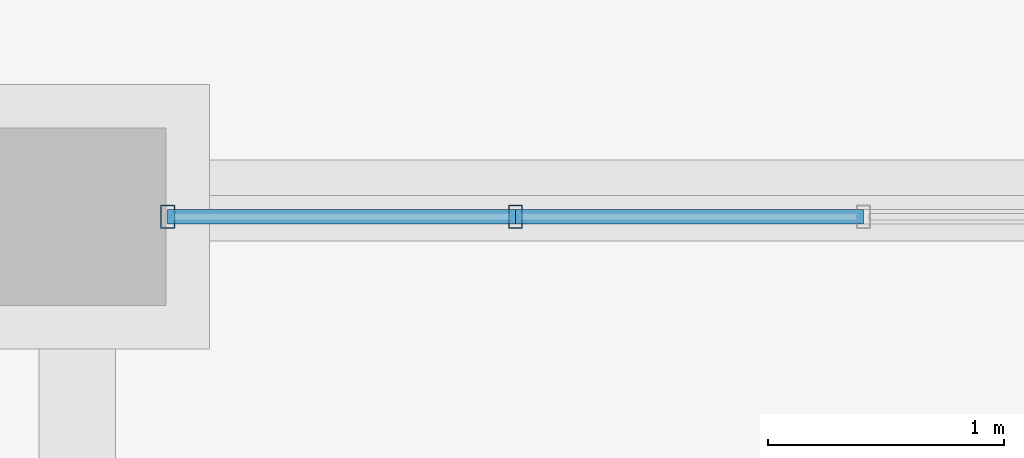
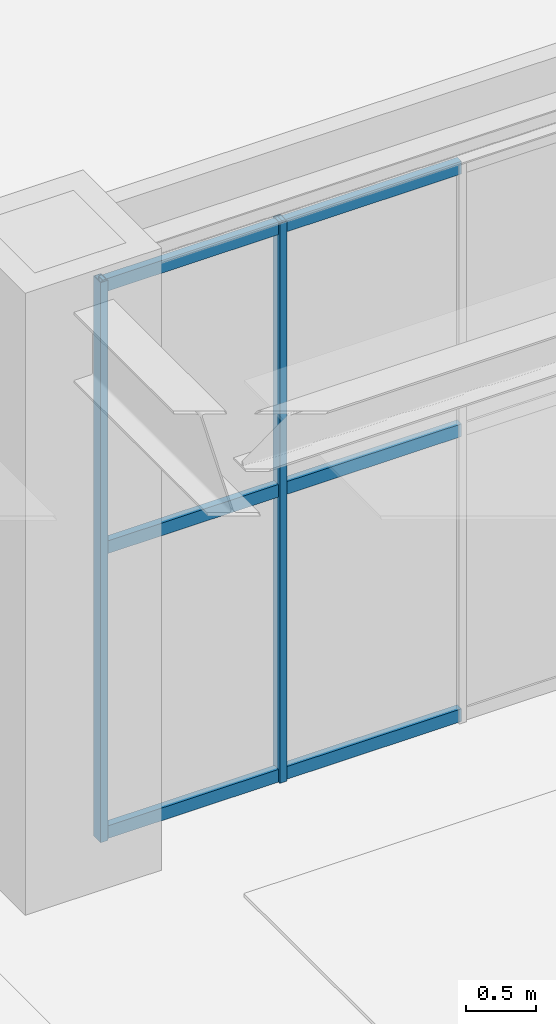
# One storey, part 36 of 164: 8 members, 1 element without a shape of its own.
"""IFC4 building model written with IfcOpenShell, lengths in metres."""

from ifc_helpers import new_model, si_unit, direction, frame, origin, origin_2d, place, context, subcontext, project, spatial, hollow_rectangle, extrude, material, material_profile, profile_set, type_object, element, aggregate, save


model = new_model("IFC4")

# Units and contexts
model_context = context("Model", 3, precision=1e-05, world=origin(), true_north=direction((0.0, 1.0)))
body_context = subcontext(model_context, "Body", "Model", "MODEL_VIEW")
ifc_project = project(units=[si_unit("LENGTHUNIT", "METRE"), si_unit("AREAUNIT", "SQUARE_METRE"), si_unit("VOLUMEUNIT", "CUBIC_METRE"), si_unit("PLANEANGLEUNIT", "RADIAN"), si_unit("MASSUNIT", "GRAM", prefix="KILO")], contexts=[model_context])

# Site, building, storey
site_placement = place(None, origin())
site = spatial("IfcSite", under=ifc_project, at=site_placement, CompositionType="ELEMENT")
building_placement = place(site_placement, origin())
building = spatial("IfcBuilding", under=site, at=building_placement, Name="Mavantir Sound Aquarium", CompositionType="ELEMENT")
storey_placement = place(building_placement, origin())
storey = spatial("IfcBuildingStorey", under=building, at=storey_placement, Name="L00", CompositionType="ELEMENT", Elevation=0.0)

# Curtain wall, members
ifc_material_1 = material(Name="Anodised Marine Aluminium and Low-E Glass", Category="aluminium")
curtain_wall_type = type_object("IfcCurtainWallType", Name="CW-T07", PredefinedType="USERDEFINED", material=ifc_material_1)
curtain_wall_placement = place(storey_placement, origin())
curtain_wall = element("IfcCurtainWall", 1, at=curtain_wall_placement, inside=storey, type_object=curtain_wall_type, Name="L00 unitised curtain wall CW-07 7", ObjectType="UNITISED GLAZING", PredefinedType="USERDEFINED")
ifc_material_2 = material(Name="Anodised Marine Aluminium 6063-T6", Category="aluminium")
ifc_material_profile_1 = material_profile(ifc_material_2, hollow_rectangle(XDim=0.06005859375, YDim=0.10009765625, WallThickness=0.00390625, at=origin_2d()), Name="ALU-MULLION-100X60")
ifc_profile_set_1 = profile_set([ifc_material_profile_1], Name="Anodised Marine Aluminium 6063-T6")
member_type_1 = type_object("IfcMemberType", Name="CW-MUL-100", PredefinedType="MULLION", material=ifc_profile_set_1)
member_1_placement = place(storey_placement, frame((30.6552734375, 28.800048828125, 0.0), z_axis=(0.0, 0.0, 1.0), x_axis=(1.0, 0.0, 0.0)))
member_1 = element("IfcMember", 2, at=member_1_placement, type_object=member_type_1, Name="CW-L00-007 vertical mullion 6", PredefinedType="MULLION", context=body_context, shape_type="SweptSolid", body=[
    extrude(hollow_rectangle(XDim=0.06005859375, YDim=0.10009765625, WallThickness=0.00390625, at=origin_2d()), origin(), (0.0, 0.0, 1.0), 4.863037109375),
])
member_2_placement = place(storey_placement, frame((29.18310546875, 28.800048828125, 0.0), z_axis=(0.0, 0.0, 1.0), x_axis=(1.0, 0.0, 0.0)))
member_2 = element("IfcMember", 3, at=member_2_placement, type_object=member_type_1, Name="CW-L00-007 vertical mullion 7", PredefinedType="MULLION", context=body_context, shape_type="SweptSolid", body=[
    extrude(hollow_rectangle(XDim=0.06005859375, YDim=0.10009765625, WallThickness=0.00390625, at=origin_2d()), origin(), (0.0, 0.0, 1.0), 4.863037109375),
])
ifc_material_profile_2 = material_profile(ifc_material_2, hollow_rectangle(XDim=0.06005859375, YDim=0.110107421875, WallThickness=0.00390625, at=origin_2d()), Name="ALU-TRANSOM-110X60")
ifc_profile_set_2 = profile_set([ifc_material_profile_2], Name="Anodised Marine Aluminium 6063-T6")
member_type_2 = type_object("IfcMemberType", Name="CW-TRN-110", PredefinedType="USERDEFINED", material=ifc_profile_set_2)
member_3_placement = place(storey_placement, frame((32.127685546875, 28.800048828125, 0.054931640625), z_axis=(-1.0, 0.0, 0.0), x_axis=(0.0, -1.0, 0.0)))
member_3 = element("IfcMember", 4, at=member_3_placement, type_object=member_type_2, Name="CW-L00-007 transom 5.1", ObjectType="TRANSOM", PredefinedType="USERDEFINED", context=body_context, shape_type="SweptSolid", body=[
    extrude(hollow_rectangle(XDim=0.06005859375, YDim=0.110107421875, WallThickness=0.00390625, at=origin_2d()), origin(), (0.0, 0.0, 1.0), 1.472412109375),
])
member_4_placement = place(storey_placement, frame((32.127685546875, 28.800048828125, 2.52880859375), z_axis=(-1.0, 0.0, 0.0), x_axis=(0.0, -1.0, 0.0)))
member_4 = element("IfcMember", 5, at=member_4_placement, type_object=member_type_2, Name="CW-L00-007 transom 5.2", ObjectType="TRANSOM", PredefinedType="USERDEFINED", context=body_context, shape_type="SweptSolid", body=[
    extrude(hollow_rectangle(XDim=0.06005859375, YDim=0.110107421875, WallThickness=0.00390625, at=origin_2d()), origin(), (0.0, 0.0, 1.0), 1.472412109375),
])
member_5_placement = place(storey_placement, frame((32.127685546875, 28.800048828125, 4.80810546875), z_axis=(-1.0, 0.0, 0.0), x_axis=(0.0, -1.0, 0.0)))
member_5 = element("IfcMember", 6, at=member_5_placement, type_object=member_type_2, Name="CW-L00-007 transom 5.3", ObjectType="TRANSOM", PredefinedType="USERDEFINED", context=body_context, shape_type="SweptSolid", body=[
    extrude(hollow_rectangle(XDim=0.06005859375, YDim=0.110107421875, WallThickness=0.00390625, at=origin_2d()), origin(), (0.0, 0.0, 1.0), 1.472412109375),
])
member_6_placement = place(storey_placement, frame((30.6552734375, 28.800048828125, 0.054931640625), z_axis=(-1.0, 0.0, 0.0), x_axis=(0.0, -1.0, 0.0)))
member_6 = element("IfcMember", 7, at=member_6_placement, type_object=member_type_2, Name="CW-L00-007 transom 6.1", ObjectType="TRANSOM", PredefinedType="USERDEFINED", context=body_context, shape_type="SweptSolid", body=[
    extrude(hollow_rectangle(XDim=0.06005859375, YDim=0.110107421875, WallThickness=0.00390625, at=origin_2d()), origin(), (0.0, 0.0, 1.0), 1.47216796875),
])
member_7_placement = place(storey_placement, frame((30.6552734375, 28.800048828125, 2.52880859375), z_axis=(-1.0, 0.0, 0.0), x_axis=(0.0, -1.0, 0.0)))
member_7 = element("IfcMember", 8, at=member_7_placement, type_object=member_type_2, Name="CW-L00-007 transom 6.2", ObjectType="TRANSOM", PredefinedType="USERDEFINED", context=body_context, shape_type="SweptSolid", body=[
    extrude(hollow_rectangle(XDim=0.06005859375, YDim=0.110107421875, WallThickness=0.00390625, at=origin_2d()), origin(), (0.0, 0.0, 1.0), 1.47216796875),
])
member_8_placement = place(storey_placement, frame((30.6552734375, 28.800048828125, 4.80810546875), z_axis=(-1.0, 0.0, 0.0), x_axis=(0.0, -1.0, 0.0)))
member_8 = element("IfcMember", 9, at=member_8_placement, type_object=member_type_2, Name="CW-L00-007 transom 6.3", ObjectType="TRANSOM", PredefinedType="USERDEFINED", context=body_context, shape_type="SweptSolid", body=[
    extrude(hollow_rectangle(XDim=0.06005859375, YDim=0.110107421875, WallThickness=0.00390625, at=origin_2d()), origin(), (0.0, 0.0, 1.0), 1.47216796875),
])
aggregate(curtain_wall, [member_1, member_2, member_3, member_4, member_5, member_6, member_7, member_8])

save(model, "model.ifc")
